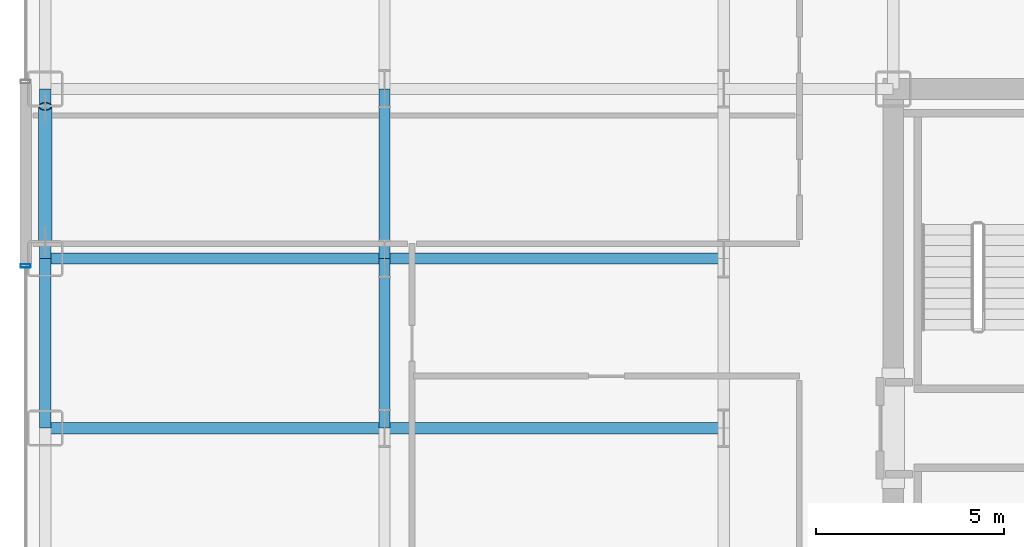
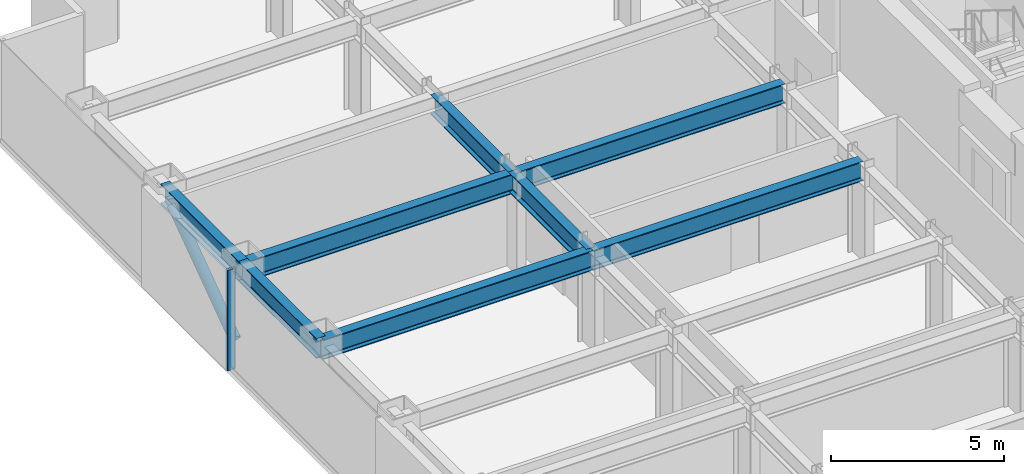
# One storey, part 6 of 29: 8 beams, 2 members, 1 element without a shape of its own.
"""IFC4 building model written with IfcOpenShell, lengths in metres."""

from ifc_helpers import new_model, si_unit, direction, frame, origin, origin_2d, place, context, subcontext, project, spatial, hollow_rectangle, hollow_circle, i_section, extrude, source, transform, mapped, material, layer, layer_set, material_profile, profile_set, type_object, element, aggregate, save


model = new_model("IFC4")

# Units and contexts
model_context = context("Model", 3, precision=1e-05, world=origin(), true_north=direction((0.0, 1.0)))
body_context = subcontext(model_context, "Body", "Model", "MODEL_VIEW")
ifc_project = project(units=[si_unit("LENGTHUNIT", "METRE"), si_unit("AREAUNIT", "SQUARE_METRE"), si_unit("VOLUMEUNIT", "CUBIC_METRE"), si_unit("PLANEANGLEUNIT", "RADIAN"), si_unit("MASSUNIT", "GRAM", prefix="KILO")], contexts=[model_context])

# Site, building, storey
site_placement = place(None, origin())
site = spatial("IfcSite", under=ifc_project, at=site_placement, CompositionType="ELEMENT")
building_placement = place(site_placement, origin())
building = spatial("IfcBuilding", under=site, at=building_placement, Name="Nefas-Gora Pilgrimage Tower", CompositionType="ELEMENT")
storey_placement = place(building_placement, frame((0.0, 0.0, 90.800048828125)))
storey = spatial("IfcBuildingStorey", under=building, at=storey_placement, Name="L21", CompositionType="ELEMENT", Elevation=90.800048828125)

# Beams
ifc_material_1 = material(Name="Steel S355", Category="steel")
ifc_material_profile_1 = material_profile(ifc_material_1, i_section(OverallWidth=0.300048828125, OverallDepth=0.699951171875, WebThickness=0.01708984375, FlangeThickness=0.031982421875, FilletRadius=0.027099609375, at=origin_2d()), Name="HEB 700")
ifc_profile_set_1 = profile_set([ifc_material_profile_1], Name="Steel S355")
beam_type_1 = type_object("IfcBeamType", Name="BM-SPN-HEB600", PredefinedType="SPANDREL", material=ifc_profile_set_1)
shared_shape_1 = source(origin(), body_context, "Body", "SweptSolid", [
    extrude(i_section(OverallWidth=0.300048828125, OverallDepth=0.699951171875, WebThickness=0.01708984375, FlangeThickness=0.031982421875, FilletRadius=0.027099609375, at=origin_2d()), origin(), (0.0, 0.0, 1.0), 4.5),
])
for number, where, z_axis, x_axis, name in (
    (1, (-33.75, 0.0, 3.199951171875), (0.0, 1.0, 0.0), (-1.0, 0.0, 0.0), "L21 SP-01 beam"),
    (2, (-33.75, 4.5, 3.199951171875), (0.0, 1.0, 0.0), (-1.0, 0.0, 0.0), "L21 SP-01 beam"),
):
    element("IfcBeam", number, at=place(storey_placement, frame(where, z_axis=z_axis, x_axis=x_axis)), inside=storey, type_object=beam_type_1, Name=name, PredefinedType="SPANDREL", context=body_context, shape_type="MappedRepresentation", body=[
        mapped(shared_shape_1, transform((0.0, 0.0, 0.0), x_axis=(1.0, 0.0, 0.0), y_axis=(0.0, 1.0, 0.0), z_axis=(0.0, 0.0, 1.0), scale=1.0)),
    ])
ifc_material_profile_2 = material_profile(ifc_material_1, i_section(OverallWidth=0.300048828125, OverallDepth=0.699951171875, WebThickness=0.01708984375, FlangeThickness=0.031982421875, FilletRadius=0.027099609375, at=origin_2d()), Name="HEB 700")
ifc_profile_set_2 = profile_set([ifc_material_profile_2], Name="Steel S355")
beam_type_2 = type_object("IfcBeamType", Name="BM-GIR-HEB700", PredefinedType="BEAM", material=ifc_profile_set_2)
shared_shape_2 = source(origin(), body_context, "Body", "SweptSolid", [
    extrude(i_section(OverallWidth=0.300048828125, OverallDepth=0.699951171875, WebThickness=0.01708984375, FlangeThickness=0.031982421875, FilletRadius=0.027099609375, at=origin_2d()), origin(), (0.0, 0.0, 1.0), 9.0),
])
for number, where, z_axis, x_axis, name in (
    (3, (-33.75, 0.0, 3.199951171875), (1.0, 0.0, 0.0), (0.0, 1.0, 0.0), "L21 G-02 beam"),
    (4, (-33.75, 4.5, 3.199951171875), (1.0, 0.0, 0.0), (0.0, 1.0, 0.0), "L21 G-02 beam"),
    (5, (-24.75, 0.0, 3.199951171875), (1.0, 0.0, 0.0), (0.0, 1.0, 0.0), "L21 G-02 beam"),
    (6, (-24.75, 4.5, 3.199951171875), (1.0, 0.0, 0.0), (0.0, 1.0, 0.0), "L21 G-02 beam"),
):
    element("IfcBeam", number, at=place(storey_placement, frame(where, z_axis=z_axis, x_axis=x_axis)), inside=storey, type_object=beam_type_2, Name=name, PredefinedType="BEAM", context=body_context, shape_type="MappedRepresentation", body=[
        mapped(shared_shape_2, transform((0.0, 0.0, 0.0), x_axis=(1.0, 0.0, 0.0), y_axis=(0.0, 1.0, 0.0), z_axis=(0.0, 0.0, 1.0), scale=1.0)),
    ])
shared_shape_3 = source(origin(), body_context, "Body", "SweptSolid", [
    extrude(i_section(OverallWidth=0.300048828125, OverallDepth=0.699951171875, WebThickness=0.01708984375, FlangeThickness=0.031982421875, FilletRadius=0.027099609375, at=origin_2d()), origin(), (0.0, 0.0, 1.0), 4.5),
])
for number, where, z_axis, x_axis, name in (
    (7, (-24.75, 0.0, 3.199951171875), (0.0, 1.0, 0.0), (-1.0, 0.0, 0.0), "L21 G-02 beam"),
    (8, (-24.75, 4.5, 3.199951171875), (0.0, 1.0, 0.0), (-1.0, 0.0, 0.0), "L21 G-02 beam"),
):
    element("IfcBeam", number, at=place(storey_placement, frame(where, z_axis=z_axis, x_axis=x_axis)), inside=storey, type_object=beam_type_2, Name=name, PredefinedType="BEAM", context=body_context, shape_type="MappedRepresentation", body=[
        mapped(shared_shape_3, transform((0.0, 0.0, 0.0), x_axis=(1.0, 0.0, 0.0), y_axis=(0.0, 1.0, 0.0), z_axis=(0.0, 0.0, 1.0), scale=1.0)),
    ])

# Member
ifc_material_2 = material(Name="Steel S460", Category="steel")
ifc_material_profile_3 = material_profile(ifc_material_2, hollow_circle(Radius=0.177734375, WallThickness=0.02001953125, at=origin_2d()), Name="CHS 355.6x20")
ifc_profile_set_3 = profile_set([ifc_material_profile_3], Name="Steel S460")
member_type_1 = type_object("IfcMemberType", Name="MEM-TUBE-356", PredefinedType="BRACE", material=ifc_profile_set_3)
shared_shape_4 = source(origin(), body_context, "Body", "SweptSolid", [
    extrude(hollow_circle(Radius=0.177734375, WallThickness=0.02001953125, at=origin_2d()), origin(), (0.0, 0.0, 1.0), 4.39501953125),
])
member_1_placement = place(storey_placement, frame((-33.75, 4.962890625, 0.481201171875), z_axis=(0.0, 0.813264026864, 0.581894855287), x_axis=(-1.0, 0.0, 0.0)))
element("IfcMember", 9, at=member_1_placement, inside=storey, type_object=member_type_1, Name="L21 Perimeter Tube Diagonal Brace W2", PredefinedType="BRACE", context=body_context, shape_type="MappedRepresentation", body=[
    mapped(shared_shape_4, transform((0.0, 0.0, 0.0), x_axis=(1.0, 0.0, 0.0), y_axis=(0.0, 1.0, 0.0), z_axis=(0.0, 0.0, 1.0), scale=1.0)),
])

# Curtain wall, member
ifc_material_3 = material(Name="Dark ceramic-fritted solar-control aluminium-glass curtain wall", Category="aluminium")
ifc_layer = layer(ifc_material_3, 0.219970703125)
ifc_layer_set = layer_set([ifc_layer], Name="Dark ceramic-fritted solar-control aluminium-glass curtain wall")
curtain_wall_type = type_object("IfcCurtainWallType", Name="CW-SYS-2", PredefinedType="NOTDEFINED", material=ifc_layer_set)
curtain_wall_placement = place(storey_placement, origin())
curtain_wall = element("IfcCurtainWall", 10, at=curtain_wall_placement, inside=storey, type_object=curtain_wall_type, Name="L21 Unitised Curtain Wall CW2", PredefinedType="NOTDEFINED")
ifc_material_4 = material(Name="Anodised architectural aluminium", Category="aluminium")
ifc_material_profile_4 = material_profile(ifc_material_4, hollow_rectangle(XDim=0.090087890625, YDim=0.260009765625, WallThickness=0.006103515625, InnerFilletRadius=0.006103515625, OuterFilletRadius=0.011962890625, at=origin_2d()), Name="ALU MULLION 90x260")
ifc_profile_set_4 = profile_set([ifc_material_profile_4], Name="Anodised architectural aluminium")
member_type_2 = type_object("IfcMemberType", Name="CWM-MUL-2", PredefinedType="MULLION", material=ifc_profile_set_4)
shared_shape_5 = source(origin(), body_context, "Body", "SweptSolid", [
    extrude(hollow_rectangle(XDim=0.090087890625, YDim=0.260009765625, WallThickness=0.006103515625, InnerFilletRadius=0.006103515625, OuterFilletRadius=0.011962890625, at=origin_2d()), origin(), (0.0, 0.0, 1.0), 3.550048828125),
])
member_2_placement = place(storey_placement, frame((-34.27001953125, 4.304931640625, 0.0), z_axis=(0.0, 0.0, 1.0), x_axis=(0.0, -1.0, 0.0)))
member_2 = element("IfcMember", 11, at=member_2_placement, type_object=member_type_2, Name="CW2 Mullion 1", PredefinedType="MULLION", context=body_context, shape_type="MappedRepresentation", body=[
    mapped(shared_shape_5, transform((0.0, 0.0, 0.0), x_axis=(1.0, 0.0, 0.0), y_axis=(0.0, 1.0, 0.0), z_axis=(0.0, 0.0, 1.0), scale=1.0)),
])
aggregate(curtain_wall, [member_2])

save(model, "model.ifc")
